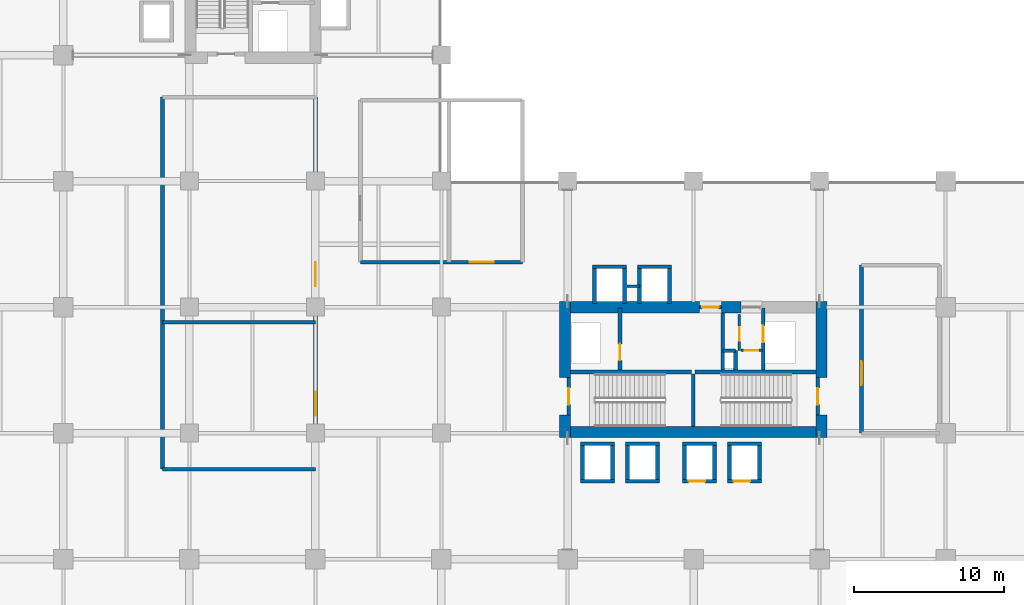
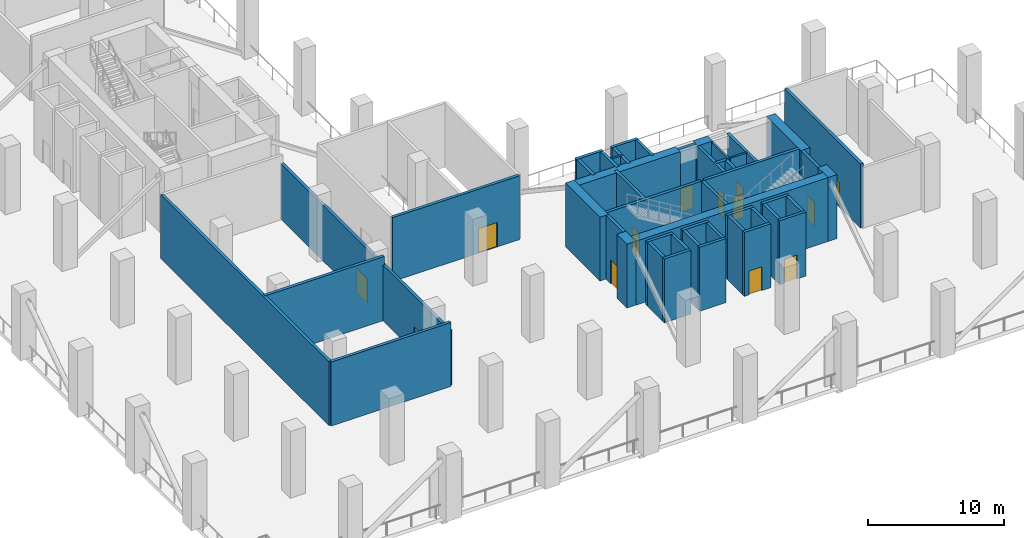
# One storey, part 12 of 19: 49 walls, 13 doors, 13 openings.
"""IFC4 building model written with IfcOpenShell, lengths in metres."""

from ifc_helpers import new_model, si_unit, direction, frame, frame_2d, origin, place, context, subcontext, project, spatial, rectangle, extrude, material, layer, layer_set, type_object, element, fill, save


model = new_model("IFC4")

# Units and contexts
model_context = context("Model", 3, precision=1e-05, world=origin(), true_north=direction((0.0, 1.0)))
body_context = subcontext(model_context, "Body", "Model", "MODEL_VIEW")
ifc_project = project(units=[si_unit("LENGTHUNIT", "METRE"), si_unit("AREAUNIT", "SQUARE_METRE"), si_unit("VOLUMEUNIT", "CUBIC_METRE"), si_unit("PLANEANGLEUNIT", "RADIAN"), si_unit("MASSUNIT", "GRAM", prefix="KILO")], contexts=[model_context])

# Site, building, storey
site_placement = place(None, origin())
site = spatial("IfcSite", under=ifc_project, at=site_placement, CompositionType="ELEMENT")
building_placement = place(site_placement, origin())
building = spatial("IfcBuilding", under=site, at=building_placement, Name="Koriwani Terraces Tower", CompositionType="ELEMENT")
storey_placement = place(building_placement, frame((0.0, 0.0, 94.0)))
storey = spatial("IfcBuildingStorey", under=building, at=storey_placement, Name="L22", CompositionType="ELEMENT", Elevation=94.0)

# Walls
ifc_material_1 = material(Name="Concrete C60/75", Category="concrete")
ifc_layer_1 = layer(ifc_material_1, 0.75, Name="Concrete C60/75")
ifc_layer_set_1 = layer_set([ifc_layer_1], Name="Concrete C60/75")
wall_type_1 = type_object("IfcWallType", Name="WALL_CORE_RC_750", PredefinedType="SHEAR", material=ifc_layer_set_1)
wall_1_placement = place(storey_placement, frame((41.824951171875, 16.5, 0.0), z_axis=(0.0, 0.0, 1.0), x_axis=(0.0, 1.0, 0.0)))
element("IfcWall", 1, at=wall_1_placement, inside=storey, type_object=wall_type_1, Name="L22 East Split Core Shear Wall W1", PredefinedType="SHEAR", context=body_context, shape_type="SweptSolid", body=[
    extrude(rectangle(XDim=1.5, YDim=0.75, at=frame_2d((0.75, 0.0))), origin(), (0.0, 0.0, 1.0), 5.75),
])
wall_2_placement = place(storey_placement, frame((41.824951171875, 20.5, 0.0), z_axis=(0.0, 0.0, 1.0), x_axis=(0.0, 1.0, 0.0)))
element("IfcWall", 2, at=wall_2_placement, inside=storey, type_object=wall_type_1, Name="L22 East Split Core Shear Wall W2", PredefinedType="SHEAR", context=body_context, shape_type="SweptSolid", body=[
    extrude(rectangle(XDim=5.074951171875, YDim=0.75, at=frame_2d((2.53759765625, 0.0))), origin(), (0.0, 0.0, 1.0), 5.75),
])
wall_3_placement = place(storey_placement, frame((58.925048828125, 16.5, 0.0), z_axis=(0.0, 0.0, 1.0), x_axis=(0.0, 1.0, 0.0)))
element("IfcWall", 3, at=wall_3_placement, inside=storey, type_object=wall_type_1, Name="L22 East Split Core Shear Wall E1", PredefinedType="SHEAR", context=body_context, shape_type="SweptSolid", body=[
    extrude(rectangle(XDim=1.5, YDim=0.75, at=frame_2d((0.75, 0.0))), origin(), (0.0, 0.0, 1.0), 5.75),
])
wall_4_placement = place(storey_placement, frame((58.925048828125, 20.5, 0.0), z_axis=(0.0, 0.0, 1.0), x_axis=(0.0, 1.0, 0.0)))
element("IfcWall", 4, at=wall_4_placement, inside=storey, type_object=wall_type_1, Name="L22 East Split Core Shear Wall E2", PredefinedType="SHEAR", context=body_context, shape_type="SweptSolid", body=[
    extrude(rectangle(XDim=5.074951171875, YDim=0.75, at=frame_2d((2.53759765625, 0.0))), origin(), (0.0, 0.0, 1.0), 5.75),
])
wall_5_placement = place(storey_placement, frame((42.199951171875, 16.875, 0.0), z_axis=(0.0, 0.0, 1.0), x_axis=(1.0, 0.0, 0.0)))
element("IfcWall", 5, at=wall_5_placement, inside=storey, type_object=wall_type_1, Name="L22 East Split Core Shear Wall S1", PredefinedType="SHEAR", context=body_context, shape_type="SweptSolid", body=[
    extrude(rectangle(XDim=16.35009765625, YDim=0.75, at=frame_2d((8.175048828125, 0.0))), origin(), (0.0, 0.0, 1.0), 5.75),
])
wall_6_placement = place(storey_placement, frame((42.199951171875, 25.199951171875, 0.0), z_axis=(0.0, 0.0, 1.0), x_axis=(1.0, 0.0, 0.0)))
element("IfcWall", 6, at=wall_6_placement, inside=storey, type_object=wall_type_1, Name="L22 East Split Core Shear Wall N1", PredefinedType="SHEAR", context=body_context, shape_type="SweptSolid", body=[
    extrude(rectangle(XDim=8.60009765625, YDim=0.75, at=frame_2d((4.300048828125, 0.0))), origin(), (0.0, 0.0, 1.0), 5.75),
])
wall_7_placement = place(storey_placement, frame((52.280029296875, 25.199951171875, 0.0), z_axis=(0.0, 0.0, 1.0), x_axis=(1.0, 0.0, 0.0)))
element("IfcWall", 7, at=wall_7_placement, inside=storey, type_object=wall_type_1, Name="L22 East Split Core Shear Wall N2", PredefinedType="SHEAR", context=body_context, shape_type="SweptSolid", body=[
    extrude(rectangle(XDim=1.27001953125, YDim=0.75, at=frame_2d((0.635009765625, 0.0))), origin(), (0.0, 0.0, 1.0), 5.75),
])
ifc_material_2 = material(Name="Concrete C40/50", Category="concrete")
ifc_layer_2 = layer(ifc_material_2, 0.25, Name="Concrete C40/50")
ifc_layer_set_2 = layer_set([ifc_layer_2], Name="Concrete C40/50")
wall_type_2 = type_object("IfcWallType", Name="WALL_SHAFT_RATED_250", PredefinedType="SOLIDWALL", material=ifc_layer_set_2)
for number, where, z_axis, x_axis, name in (
    (8, (42.199951171875, 20.875, 0.0), (0.0, 0.0, 1.0), (1.0, 0.0, 0.0), "L22 East Split Core Web Wall MID1"),
    (9, (50.5, 20.875, 0.0), (0.0, 0.0, 1.0), (1.0, 0.0, 0.0), "L22 East Split Core Web Wall MID2"),
):
    element("IfcWall", number, at=place(storey_placement, frame(where, z_axis=z_axis, x_axis=x_axis)), inside=storey, type_object=wall_type_2, Name=name, PredefinedType="SOLIDWALL", context=body_context, shape_type="SweptSolid", body=[
        extrude(rectangle(XDim=8.050048828125, YDim=0.25, at=frame_2d((4.02490234375, 0.0))), origin(), (0.0, 0.0, 1.0), 5.75),
    ])
wall_8_placement = place(storey_placement, frame((50.375, 17.25, 0.0), z_axis=(0.0, 0.0, 1.0), x_axis=(0.0, 1.0, 0.0)))
element("IfcWall", 10, at=wall_8_placement, inside=storey, type_object=wall_type_2, Name="L22 East Split Core Stair Dividing Wall", PredefinedType="SOLIDWALL", context=body_context, shape_type="SweptSolid", body=[
    extrude(rectangle(XDim=3.5, YDim=0.25, at=frame_2d((1.75, 0.0))), origin(), (0.0, 0.0, 1.0), 5.75),
])

# Wall, opening, door
wall_9_placement = place(storey_placement, frame((42.074951171875, 18.0, 0.0), z_axis=(0.0, 0.0, 1.0), x_axis=(0.0, 1.0, 0.0)))
wall_9 = element("IfcWall", 11, at=wall_9_placement, inside=storey, type_object=wall_type_2, Name="L22 Interior Wall WIN-CE-L22-STW", PredefinedType="SOLIDWALL", context=body_context, shape_type="SweptSolid", body=[
    extrude(rectangle(XDim=2.5, YDim=0.25, at=frame_2d((1.25, 0.0))), origin(), (0.0, 0.0, 1.0), 5.75),
])
opening_1_placement = place(wall_9_placement, frame((0.699951171875, 0.0, 0.0)))
opening_1 = element("IfcOpeningElement", 12, at=opening_1_placement, cuts=wall_9, Name="Opening D-03", PredefinedType="OPENING", context=body_context, shape_type="SweptSolid", body=[
    extrude(rectangle(XDim=1.10009765625, YDim=2.14990234375, at=frame_2d((0.550048828125, 1.074951171875))), frame((0.0, 0.135009765625, 0.0), z_axis=(0.0, -1.0, 0.0), x_axis=(1.0, 0.0, 0.0)), (0.0, 0.0, 1.0), 0.27001953125),
])
ifc_material_3 = material(Name="Steel ASTM A572 Grade 50", Category="steel")
door_type_1 = type_object("IfcDoorType", Name="DOOR_STAIR_FIRE_1100X2150", OperationType="NOTDEFINED", PredefinedType="DOOR", material=ifc_material_3)
door_1_placement = place(opening_1_placement, origin())
door_1 = element("IfcDoor", 13, at=door_1_placement, inside=storey, type_object=door_type_1, Name="L22 Exit Stair ST-E1 Door", OperationType="SINGLE_SWING_RIGHT", OverallHeight=2.14990234375, OverallWidth=1.10009765625, PredefinedType="DOOR", context=body_context, shape_type="SweptSolid", body=[
    extrude(rectangle(XDim=1.10009765625, YDim=2.14990234375, at=frame_2d((0.550048828125, 1.074951171875))), frame((0.0, 0.02490234375, 0.0), z_axis=(0.0, -1.0, 0.0), x_axis=(1.0, 0.0, 0.0)), (0.0, 0.0, 1.0), 0.050048828125),
])
fill(opening_1, door_1)

wall_10_placement = place(storey_placement, frame((58.675048828125, 18.0, 0.0), z_axis=(0.0, 0.0, 1.0), x_axis=(0.0, 1.0, 0.0)))
wall_10 = element("IfcWall", 14, at=wall_10_placement, inside=storey, type_object=wall_type_2, Name="L22 Interior Wall WIN-CE-L22-STE", PredefinedType="SOLIDWALL", context=body_context, shape_type="SweptSolid", body=[
    extrude(rectangle(XDim=2.5, YDim=0.25, at=frame_2d((1.25, 0.0))), origin(), (0.0, 0.0, 1.0), 5.75),
])
opening_2_placement = place(wall_10_placement, frame((0.699951171875, 0.0, 0.0)))
opening_2 = element("IfcOpeningElement", 15, at=opening_2_placement, cuts=wall_10, Name="Opening D-03", PredefinedType="OPENING", context=body_context, shape_type="SweptSolid", body=[
    extrude(rectangle(XDim=1.10009765625, YDim=2.14990234375, at=frame_2d((0.550048828125, 1.074951171875))), frame((0.0, 0.135009765625, 0.0), z_axis=(0.0, -1.0, 0.0), x_axis=(1.0, 0.0, 0.0)), (0.0, 0.0, 1.0), 0.27001953125),
])
door_2_placement = place(opening_2_placement, origin())
door_2 = element("IfcDoor", 16, at=door_2_placement, inside=storey, type_object=door_type_1, Name="L22 Exit Stair ST-E2 Door", OperationType="SINGLE_SWING_LEFT", OverallHeight=2.14990234375, OverallWidth=1.10009765625, PredefinedType="DOOR", context=body_context, shape_type="SweptSolid", body=[
    extrude(rectangle(XDim=1.10009765625, YDim=2.14990234375, at=frame_2d((0.550048828125, 1.074951171875))), frame((0.0, 0.02490234375, 0.0), z_axis=(0.0, -1.0, 0.0), x_axis=(1.0, 0.0, 0.0)), (0.0, 0.0, 1.0), 0.050048828125),
])
fill(opening_2, door_2)

wall_11_placement = place(storey_placement, frame((45.5, 21.0, 0.0), z_axis=(0.0, 0.0, 1.0), x_axis=(0.0, 1.0, 0.0)))
wall_11 = element("IfcWall", 17, at=wall_11_placement, inside=storey, type_object=wall_type_2, Name="L22 Interior Wall WIN-CE-L22-FE", PredefinedType="SOLIDWALL", context=body_context, shape_type="SweptSolid", body=[
    extrude(rectangle(XDim=4.14990234375, YDim=0.25, at=frame_2d((2.074951171875, 0.0))), origin(), (0.0, 0.0, 1.0), 5.75),
])
opening_3_placement = place(wall_11_placement, frame((0.64990234375, 0.0, 0.0)))
opening_3 = element("IfcOpeningElement", 18, at=opening_3_placement, cuts=wall_11, Name="Opening LD-01", PredefinedType="OPENING", context=body_context, shape_type="SweptSolid", body=[
    extrude(rectangle(XDim=1.10009765625, YDim=2.14990234375, at=frame_2d((0.550048828125, 1.074951171875))), frame((0.0, 0.135009765625, 0.0), z_axis=(0.0, -1.0, 0.0), x_axis=(1.0, 0.0, 0.0)), (0.0, 0.0, 1.0), 0.27001953125),
])
door_type_2 = type_object("IfcDoorType", Name="DOOR_LIFT_LANDING_1100X2200", OperationType="NOTDEFINED", PredefinedType="DOOR", material=ifc_material_3)
door_3_placement = place(opening_3_placement, origin())
door_3 = element("IfcDoor", 19, at=door_3_placement, inside=storey, type_object=door_type_2, Name="L22 Firefighting Lift FE-02 Landing Door", OperationType="SLIDING_TO_LEFT", OverallHeight=2.14990234375, OverallWidth=1.10009765625, PredefinedType="DOOR", context=body_context, shape_type="SweptSolid", body=[
    extrude(rectangle(XDim=1.10009765625, YDim=2.14990234375, at=frame_2d((0.550048828125, 1.074951171875))), frame((0.0, 0.02490234375, 0.0), z_axis=(0.0, -1.0, 0.0), x_axis=(1.0, 0.0, 0.0)), (0.0, 0.0, 1.0), 0.050048828125),
])
fill(opening_3, door_3)

wall_12_placement = place(storey_placement, frame((50.800048828125, 25.199951171875, 0.0), z_axis=(0.0, 0.0, 1.0), x_axis=(1.0, 0.0, 0.0)))
wall_12 = element("IfcWall", 20, at=wall_12_placement, inside=storey, type_object=wall_type_2, Name="L22 Interior Wall WIN-CE-L22-NP", PredefinedType="SOLIDWALL", context=body_context, shape_type="SweptSolid", body=[
    extrude(rectangle(XDim=1.47998046875, YDim=0.25, at=frame_2d((0.739990234375, 0.0))), origin(), (0.0, 0.0, 1.0), 5.75),
])
opening_4_placement = place(wall_12_placement, frame((0.179931640625, 0.0, 0.0)))
opening_4 = element("IfcOpeningElement", 21, at=opening_4_placement, cuts=wall_12, Name="Opening D-03", PredefinedType="OPENING", context=body_context, shape_type="SweptSolid", body=[
    extrude(rectangle(XDim=1.10009765625, YDim=2.14990234375, at=frame_2d((0.550048828125, 1.074951171875))), frame((0.0, 0.135009765625, 0.0), z_axis=(0.0, -1.0, 0.0), x_axis=(1.0, 0.0, 0.0)), (0.0, 0.0, 1.0), 0.27001953125),
])
door_4_placement = place(opening_4_placement, origin())
door_4 = element("IfcDoor", 22, at=door_4_placement, inside=storey, type_object=door_type_1, Name="L22 East Firefighting Lobby Door", OperationType="SINGLE_SWING_RIGHT", OverallHeight=2.14990234375, OverallWidth=1.10009765625, PredefinedType="DOOR", context=body_context, shape_type="SweptSolid", body=[
    extrude(rectangle(XDim=1.10009765625, YDim=2.14990234375, at=frame_2d((0.550048828125, 1.074951171875))), frame((0.0, 0.02490234375, 0.0), z_axis=(0.0, -1.0, 0.0), x_axis=(1.0, 0.0, 0.0)), (0.0, 0.0, 1.0), 0.050048828125),
])
fill(opening_4, door_4)

# Wall
wall_13_placement = place(storey_placement, frame((52.340087890625, 21.0, 0.0), z_axis=(0.0, 0.0, 1.0), x_axis=(0.0, 1.0, 0.0)))
element("IfcWall", 23, at=wall_13_placement, inside=storey, type_object=wall_type_2, Name="L22 Interior Wall WIN-CE-L22-FFE", PredefinedType="SOLIDWALL", context=body_context, shape_type="SweptSolid", body=[
    extrude(rectangle(XDim=3.824951171875, YDim=0.25, at=frame_2d((1.91259765625, 0.0))), origin(), (0.0, 0.0, 1.0), 5.75),
])

# Wall, opening, door
wall_14_placement = place(storey_placement, frame((55.050048828125, 21.0, 0.0), z_axis=(0.0, 0.0, 1.0), x_axis=(0.0, 1.0, 0.0)))
wall_14 = element("IfcWall", 24, at=wall_14_placement, inside=storey, type_object=wall_type_2, Name="L22 Interior Wall WIN-CE-L22-SE", PredefinedType="SOLIDWALL", context=body_context, shape_type="SweptSolid", body=[
    extrude(rectangle(XDim=4.14990234375, YDim=0.25, at=frame_2d((2.074951171875, 0.0))), origin(), (0.0, 0.0, 1.0), 5.75),
])
opening_5_placement = place(wall_14_placement, frame((1.85009765625, 0.0, 0.0)))
opening_5 = element("IfcOpeningElement", 25, at=opening_5_placement, cuts=wall_14, Name="Opening LD-01", PredefinedType="OPENING", context=body_context, shape_type="SweptSolid", body=[
    extrude(rectangle(XDim=1.10009765625, YDim=2.14990234375, at=frame_2d((0.550048828125, 1.074951171875))), frame((0.0, 0.135009765625, 0.0), z_axis=(0.0, -1.0, 0.0), x_axis=(1.0, 0.0, 0.0)), (0.0, 0.0, 1.0), 0.27001953125),
])
door_5_placement = place(opening_5_placement, origin())
door_5 = element("IfcDoor", 26, at=door_5_placement, inside=storey, type_object=door_type_2, Name="L22 Goods Lift SE-02 Landing Door", OperationType="SLIDING_TO_LEFT", OverallHeight=2.14990234375, OverallWidth=1.10009765625, PredefinedType="DOOR", context=body_context, shape_type="SweptSolid", body=[
    extrude(rectangle(XDim=1.10009765625, YDim=2.14990234375, at=frame_2d((0.550048828125, 1.074951171875))), frame((0.0, 0.02490234375, 0.0), z_axis=(0.0, -1.0, 0.0), x_axis=(1.0, 0.0, 0.0)), (0.0, 0.0, 1.0), 0.050048828125),
])
fill(opening_5, door_5)

# Walls
wall_15_placement = place(storey_placement, frame((53.199951171875, 21.0, 0.0), z_axis=(0.0, 0.0, 1.0), x_axis=(0.0, 1.0, 0.0)))
element("IfcWall", 27, at=wall_15_placement, inside=storey, type_object=wall_type_2, Name="L22 Interior Wall WIN-CE-L22-RS1", PredefinedType="SOLIDWALL", context=body_context, shape_type="SweptSolid", body=[
    extrude(rectangle(XDim=1.300048828125, YDim=0.25, at=frame_2d((0.64990234375, 0.0))), origin(), (0.0, 0.0, 1.0), 5.75),
])
wall_16_placement = place(storey_placement, frame((52.360107421875, 22.300048828125, 0.0), z_axis=(0.0, 0.0, 1.0), x_axis=(1.0, 0.0, 0.0)))
element("IfcWall", 28, at=wall_16_placement, inside=storey, type_object=wall_type_2, Name="L22 Interior Wall WIN-CE-L22-RS2", PredefinedType="SOLIDWALL", context=body_context, shape_type="SweptSolid", body=[
    extrude(rectangle(XDim=0.83984375, YDim=0.25, at=frame_2d((0.419921875, 0.0))), origin(), (0.0, 0.0, 1.0), 5.75),
])
for number, where, z_axis, x_axis, name in (
    (29, (42.875, 13.60009765625, 0.0), (0.0, 0.0, 1.0), (1.0, 0.0, 0.0), "L22 Interior Wall WIN-LF-PE-L3-L22-F"),
    (30, (42.875, 16.10009765625, 0.0), (0.0, 0.0, 1.0), (1.0, 0.0, 0.0), "L22 Interior Wall WIN-LF-PE-L3-L22-B"),
    (31, (43.0, 13.72509765625, 0.0), (0.0, 0.0, 1.0), (0.0, 1.0, 0.0), "L22 Interior Wall WIN-LF-PE-L3-L22-W"),
    (32, (45.0, 13.72509765625, 0.0), (0.0, 0.0, 1.0), (0.0, 1.0, 0.0), "L22 Interior Wall WIN-LF-PE-L3-L22-E"),
    (33, (45.875, 13.60009765625, 0.0), (0.0, 0.0, 1.0), (1.0, 0.0, 0.0), "L22 Interior Wall WIN-LF-PE-L4-L22-F"),
    (34, (45.875, 16.10009765625, 0.0), (0.0, 0.0, 1.0), (1.0, 0.0, 0.0), "L22 Interior Wall WIN-LF-PE-L4-L22-B"),
    (35, (46.0, 13.72509765625, 0.0), (0.0, 0.0, 1.0), (0.0, 1.0, 0.0), "L22 Interior Wall WIN-LF-PE-L4-L22-W"),
    (36, (48.0, 13.72509765625, 0.0), (0.0, 0.0, 1.0), (0.0, 1.0, 0.0), "L22 Interior Wall WIN-LF-PE-L4-L22-E"),
):
    element("IfcWall", number, at=place(storey_placement, frame(where, z_axis=z_axis, x_axis=x_axis)), inside=storey, type_object=wall_type_2, Name=name, PredefinedType="SOLIDWALL", context=body_context, shape_type="SweptSolid", body=[
        extrude(rectangle(XDim=2.25, YDim=0.25, at=frame_2d((1.125, 0.0))), origin(), (0.0, 0.0, 1.0), 5.75),
    ])

# Wall, opening, door
wall_17_placement = place(storey_placement, frame((49.675048828125, 13.60009765625, 0.0), z_axis=(0.0, 0.0, 1.0), x_axis=(1.0, 0.0, 0.0)))
wall_17 = element("IfcWall", 37, at=wall_17_placement, inside=storey, type_object=wall_type_2, Name="L22 Interior Wall WIN-LF-PE-M3-L22-F", PredefinedType="SOLIDWALL", context=body_context, shape_type="SweptSolid", body=[
    extrude(rectangle(XDim=2.25, YDim=0.25, at=frame_2d((1.125, 0.0))), origin(), (0.0, 0.0, 1.0), 5.75),
])
opening_6_placement = place(wall_17_placement, frame((0.39990234375, 0.0, 0.0)))
opening_6 = element("IfcOpeningElement", 38, at=opening_6_placement, cuts=wall_17, Name="Opening LD-01", PredefinedType="OPENING", context=body_context, shape_type="SweptSolid", body=[
    extrude(rectangle(XDim=1.10009765625, YDim=2.14990234375, at=frame_2d((0.550048828125, 1.074951171875))), frame((0.0, 0.135009765625, 0.0), z_axis=(0.0, -1.0, 0.0), x_axis=(1.0, 0.0, 0.0)), (0.0, 0.0, 1.0), 0.27001953125),
])
door_6_placement = place(opening_6_placement, origin())
door_6 = element("IfcDoor", 39, at=door_6_placement, inside=storey, type_object=door_type_2, Name="L22 Passenger Lift PE-M3 Landing Door", OperationType="SLIDING_TO_LEFT", OverallHeight=2.14990234375, OverallWidth=1.10009765625, PredefinedType="DOOR", context=body_context, shape_type="SweptSolid", body=[
    extrude(rectangle(XDim=1.10009765625, YDim=2.14990234375, at=frame_2d((0.550048828125, 1.074951171875))), frame((0.0, 0.02490234375, 0.0), z_axis=(0.0, -1.0, 0.0), x_axis=(1.0, 0.0, 0.0)), (0.0, 0.0, 1.0), 0.050048828125),
])
fill(opening_6, door_6)

# Walls
for number, where, z_axis, x_axis, name in (
    (40, (49.675048828125, 16.10009765625, 0.0), (0.0, 0.0, 1.0), (1.0, 0.0, 0.0), "L22 Interior Wall WIN-LF-PE-M3-L22-B"),
    (41, (49.800048828125, 13.72509765625, 0.0), (0.0, 0.0, 1.0), (0.0, 1.0, 0.0), "L22 Interior Wall WIN-LF-PE-M3-L22-W"),
    (42, (51.800048828125, 13.72509765625, 0.0), (0.0, 0.0, 1.0), (0.0, 1.0, 0.0), "L22 Interior Wall WIN-LF-PE-M3-L22-E"),
):
    element("IfcWall", number, at=place(storey_placement, frame(where, z_axis=z_axis, x_axis=x_axis)), inside=storey, type_object=wall_type_2, Name=name, PredefinedType="SOLIDWALL", context=body_context, shape_type="SweptSolid", body=[
        extrude(rectangle(XDim=2.25, YDim=0.25, at=frame_2d((1.125, 0.0))), origin(), (0.0, 0.0, 1.0), 5.75),
    ])

# Wall, opening, door
wall_18_placement = place(storey_placement, frame((52.675048828125, 13.60009765625, 0.0), z_axis=(0.0, 0.0, 1.0), x_axis=(1.0, 0.0, 0.0)))
wall_18 = element("IfcWall", 43, at=wall_18_placement, inside=storey, type_object=wall_type_2, Name="L22 Interior Wall WIN-LF-PE-M4-L22-F", PredefinedType="SOLIDWALL", context=body_context, shape_type="SweptSolid", body=[
    extrude(rectangle(XDim=2.25, YDim=0.25, at=frame_2d((1.125, 0.0))), origin(), (0.0, 0.0, 1.0), 5.75),
])
opening_7_placement = place(wall_18_placement, frame((0.39990234375, 0.0, 0.0)))
opening_7 = element("IfcOpeningElement", 44, at=opening_7_placement, cuts=wall_18, Name="Opening LD-01", PredefinedType="OPENING", context=body_context, shape_type="SweptSolid", body=[
    extrude(rectangle(XDim=1.10009765625, YDim=2.14990234375, at=frame_2d((0.550048828125, 1.074951171875))), frame((0.0, 0.135009765625, 0.0), z_axis=(0.0, -1.0, 0.0), x_axis=(1.0, 0.0, 0.0)), (0.0, 0.0, 1.0), 0.27001953125),
])
door_7_placement = place(opening_7_placement, origin())
door_7 = element("IfcDoor", 45, at=door_7_placement, inside=storey, type_object=door_type_2, Name="L22 Passenger Lift PE-M4 Landing Door", OperationType="SLIDING_TO_LEFT", OverallHeight=2.14990234375, OverallWidth=1.10009765625, PredefinedType="DOOR", context=body_context, shape_type="SweptSolid", body=[
    extrude(rectangle(XDim=1.10009765625, YDim=2.14990234375, at=frame_2d((0.550048828125, 1.074951171875))), frame((0.0, 0.02490234375, 0.0), z_axis=(0.0, -1.0, 0.0), x_axis=(1.0, 0.0, 0.0)), (0.0, 0.0, 1.0), 0.050048828125),
])
fill(opening_7, door_7)

# Walls
for number, where, z_axis, x_axis, name in (
    (46, (52.675048828125, 16.10009765625, 0.0), (0.0, 0.0, 1.0), (1.0, 0.0, 0.0), "L22 Interior Wall WIN-LF-PE-M4-L22-B"),
    (47, (52.800048828125, 13.72509765625, 0.0), (0.0, 0.0, 1.0), (0.0, 1.0, 0.0), "L22 Interior Wall WIN-LF-PE-M4-L22-W"),
    (48, (54.800048828125, 13.72509765625, 0.0), (0.0, 0.0, 1.0), (0.0, 1.0, 0.0), "L22 Interior Wall WIN-LF-PE-M4-L22-E"),
    (49, (43.675048828125, 27.89990234375, 0.0), (0.0, 0.0, 1.0), (1.0, 0.0, 0.0), "L22 Interior Wall WIN-LF-PE-H3-L22-F"),
):
    element("IfcWall", number, at=place(storey_placement, frame(where, z_axis=z_axis, x_axis=x_axis)), inside=storey, type_object=wall_type_2, Name=name, PredefinedType="SOLIDWALL", context=body_context, shape_type="SweptSolid", body=[
        extrude(rectangle(XDim=2.25, YDim=0.25, at=frame_2d((1.125, 0.0))), origin(), (0.0, 0.0, 1.0), 5.75),
    ])
for number, where, z_axis, x_axis, name in (
    (50, (43.800048828125, 25.449951171875, 0.0), (0.0, 0.0, 1.0), (0.0, 1.0, 0.0), "L22 Interior Wall WIN-LF-PE-H3-L22-W"),
    (51, (45.800048828125, 25.449951171875, 0.0), (0.0, 0.0, 1.0), (0.0, 1.0, 0.0), "L22 Interior Wall WIN-LF-PE-H3-L22-E"),
):
    element("IfcWall", number, at=place(storey_placement, frame(where, z_axis=z_axis, x_axis=x_axis)), inside=storey, type_object=wall_type_2, Name=name, PredefinedType="SOLIDWALL", context=body_context, shape_type="SweptSolid", body=[
        extrude(rectangle(XDim=2.324951171875, YDim=0.25, at=frame_2d((1.16259765625, 0.0))), origin(), (0.0, 0.0, 1.0), 5.75),
    ])
wall_19_placement = place(storey_placement, frame((46.675048828125, 27.89990234375, 0.0), z_axis=(0.0, 0.0, 1.0), x_axis=(1.0, 0.0, 0.0)))
element("IfcWall", 52, at=wall_19_placement, inside=storey, type_object=wall_type_2, Name="L22 Interior Wall WIN-LF-PE-H4-L22-F", PredefinedType="SOLIDWALL", context=body_context, shape_type="SweptSolid", body=[
    extrude(rectangle(XDim=2.25, YDim=0.25, at=frame_2d((1.125, 0.0))), origin(), (0.0, 0.0, 1.0), 5.75),
])
for number, where, z_axis, x_axis, name in (
    (53, (46.800048828125, 25.449951171875, 0.0), (0.0, 0.0, 1.0), (0.0, 1.0, 0.0), "L22 Interior Wall WIN-LF-PE-H4-L22-W"),
    (54, (48.800048828125, 25.449951171875, 0.0), (0.0, 0.0, 1.0), (0.0, 1.0, 0.0), "L22 Interior Wall WIN-LF-PE-H4-L22-E"),
):
    element("IfcWall", number, at=place(storey_placement, frame(where, z_axis=z_axis, x_axis=x_axis)), inside=storey, type_object=wall_type_2, Name=name, PredefinedType="SOLIDWALL", context=body_context, shape_type="SweptSolid", body=[
        extrude(rectangle(XDim=2.324951171875, YDim=0.25, at=frame_2d((1.16259765625, 0.0))), origin(), (0.0, 0.0, 1.0), 5.75),
    ])

# Wall, opening, door
wall_20_placement = place(storey_placement, frame((61.60009765625, 16.800048828125, 0.0), z_axis=(0.0, 0.0, 1.0), x_axis=(0.0, 1.0, 0.0)))
wall_20 = element("IfcWall", 55, at=wall_20_placement, inside=storey, type_object=wall_type_2, Name="L22 Interior Wall WREF-E1-L22", PredefinedType="SOLIDWALL", context=body_context, shape_type="SweptSolid", body=[
    extrude(rectangle(XDim=11.199951171875, YDim=0.25, at=frame_2d((5.60009765625, 0.0))), origin(), (0.0, 0.0, 1.0), 5.75),
])
opening_8_placement = place(wall_20_placement, frame((3.199951171875, 0.0, 0.0)))
opening_8 = element("IfcOpeningElement", 56, at=opening_8_placement, cuts=wall_20, Name="Opening D-08", PredefinedType="OPENING", context=body_context, shape_type="SweptSolid", body=[
    extrude(rectangle(XDim=1.60009765625, YDim=2.199951171875, at=frame_2d((0.800048828125, 1.10009765625))), frame((0.0, 0.135009765625, 0.0), z_axis=(0.0, -1.0, 0.0), x_axis=(1.0, 0.0, 0.0)), (0.0, 0.0, 1.0), 0.27001953125),
])
door_type_3 = type_object("IfcDoorType", Name="DOOR_PLANT_DOUBLE_1600X2200", OperationType="NOTDEFINED", PredefinedType="DOOR", material=ifc_material_3)
door_8_placement = place(opening_8_placement, origin())
door_8 = element("IfcDoor", 57, at=door_8_placement, inside=storey, type_object=door_type_3, Name="L22 East Fire Refuge Area Door", OperationType="SINGLE_SWING_LEFT", OverallHeight=2.199951171875, OverallWidth=1.60009765625, PredefinedType="DOOR", context=body_context, shape_type="SweptSolid", body=[
    extrude(rectangle(XDim=1.60009765625, YDim=2.199951171875, at=frame_2d((0.800048828125, 1.10009765625))), frame((0.0, 0.02490234375, 0.0), z_axis=(0.0, -1.0, 0.0), x_axis=(1.0, 0.0, 0.0)), (0.0, 0.0, 1.0), 0.050048828125),
])
fill(opening_8, door_8)

# Wall, openings, doors
wall_21_placement = place(storey_placement, frame((25.199951171875, 14.39990234375, 0.0), z_axis=(0.0, 0.0, 1.0), x_axis=(0.0, 1.0, 0.0)))
wall_21 = element("IfcWall", 58, at=wall_21_placement, inside=storey, type_object=wall_type_2, Name="L22 Interior Wall WPL-L22-E", PredefinedType="SOLIDWALL", context=body_context, shape_type="SweptSolid", body=[
    extrude(rectangle(XDim=24.800048828125, YDim=0.25, at=frame_2d((12.39990234375, 0.0))), origin(), (0.0, 0.0, 1.0), 5.0),
])
opening_9_placement = place(wall_21_placement, frame((3.550048828125, 0.0, 0.0)))
opening_9 = element("IfcOpeningElement", 59, at=opening_9_placement, cuts=wall_21, Name="Opening D-08", PredefinedType="OPENING", context=body_context, shape_type="SweptSolid", body=[
    extrude(rectangle(XDim=1.60009765625, YDim=2.199951171875, at=frame_2d((0.800048828125, 1.10009765625))), frame((0.0, 0.135009765625, 0.0), z_axis=(0.0, -1.0, 0.0), x_axis=(1.0, 0.0, 0.0)), (0.0, 0.0, 1.0), 0.27001953125),
])
opening_10_placement = place(wall_21_placement, frame((12.199951171875, 0.0, 0.0)))
opening_10 = element("IfcOpeningElement", 60, at=opening_10_placement, cuts=wall_21, Name="Opening D-08", PredefinedType="OPENING", context=body_context, shape_type="SweptSolid", body=[
    extrude(rectangle(XDim=1.60009765625, YDim=2.199951171875, at=frame_2d((0.800048828125, 1.10009765625))), frame((0.0, 0.135009765625, 0.0), z_axis=(0.0, -1.0, 0.0), x_axis=(1.0, 0.0, 0.0)), (0.0, 0.0, 1.0), 0.27001953125),
])
door_9_placement = place(opening_9_placement, origin())
door_9 = element("IfcDoor", 61, at=door_9_placement, inside=storey, type_object=door_type_3, Name="L22 Chiller Plant Room Door", OperationType="SINGLE_SWING_RIGHT", OverallHeight=2.199951171875, OverallWidth=1.60009765625, PredefinedType="DOOR", context=body_context, shape_type="SweptSolid", body=[
    extrude(rectangle(XDim=1.60009765625, YDim=2.199951171875, at=frame_2d((0.800048828125, 1.10009765625))), frame((0.0, 0.02490234375, 0.0), z_axis=(0.0, -1.0, 0.0), x_axis=(1.0, 0.0, 0.0)), (0.0, 0.0, 1.0), 0.050048828125),
])
fill(opening_9, door_9)
door_10_placement = place(opening_10_placement, origin())
door_10 = element("IfcDoor", 62, at=door_10_placement, inside=storey, type_object=door_type_3, Name="L22 AHU Fan Room Door", OperationType="SINGLE_SWING_LEFT", OverallHeight=2.199951171875, OverallWidth=1.60009765625, PredefinedType="DOOR", context=body_context, shape_type="SweptSolid", body=[
    extrude(rectangle(XDim=1.60009765625, YDim=2.199951171875, at=frame_2d((0.800048828125, 1.10009765625))), frame((0.0, 0.02490234375, 0.0), z_axis=(0.0, -1.0, 0.0), x_axis=(1.0, 0.0, 0.0)), (0.0, 0.0, 1.0), 0.050048828125),
])
fill(opening_10, door_10)

# Walls
wall_22_placement = place(storey_placement, frame((15.0, 14.39990234375, 0.0), z_axis=(0.0, 0.0, 1.0), x_axis=(0.0, 1.0, 0.0)))
element("IfcWall", 63, at=wall_22_placement, inside=storey, type_object=wall_type_2, Name="L22 Interior Wall WPL-L22-W", PredefinedType="SOLIDWALL", context=body_context, shape_type="SweptSolid", body=[
    extrude(rectangle(XDim=24.800048828125, YDim=0.25, at=frame_2d((12.39990234375, 0.0))), origin(), (0.0, 0.0, 1.0), 5.75),
])
for number, where, z_axis, x_axis, name in (
    (64, (15.0, 14.39990234375, 0.0), (0.0, 0.0, 1.0), (1.0, 0.0, 0.0), "L22 Interior Wall WPL-L22-S"),
    (65, (15.0, 24.199951171875, 0.0), (0.0, 0.0, 1.0), (1.0, 0.0, 0.0), "L22 Interior Wall WPL-L22-M"),
):
    element("IfcWall", number, at=place(storey_placement, frame(where, z_axis=z_axis, x_axis=x_axis)), inside=storey, type_object=wall_type_2, Name=name, PredefinedType="SOLIDWALL", context=body_context, shape_type="SweptSolid", body=[
        extrude(rectangle(XDim=10.199951171875, YDim=0.25, at=frame_2d((5.10009765625, 0.0))), origin(), (0.0, 0.0, 1.0), 5.75),
    ])

# Wall, opening, door
wall_23_placement = place(storey_placement, frame((28.199951171875, 28.199951171875, 0.0), z_axis=(0.0, 0.0, 1.0), x_axis=(1.0, 0.0, 0.0)))
wall_23 = element("IfcWall", 66, at=wall_23_placement, inside=storey, type_object=wall_type_2, Name="L22 Interior Wall WPL2-L22-S", PredefinedType="SOLIDWALL", context=body_context, shape_type="SweptSolid", body=[
    extrude(rectangle(XDim=10.800048828125, YDim=0.25, at=frame_2d((5.39990234375, 0.0))), origin(), (0.0, 0.0, 1.0), 5.75),
])
opening_11_placement = place(wall_23_placement, frame((7.300048828125, 0.0, 0.0)))
opening_11 = element("IfcOpeningElement", 67, at=opening_11_placement, cuts=wall_23, Name="Opening D-08", PredefinedType="OPENING", context=body_context, shape_type="SweptSolid", body=[
    extrude(rectangle(XDim=1.60009765625, YDim=2.199951171875, at=frame_2d((0.800048828125, 1.10009765625))), frame((0.0, 0.135009765625, 0.0), z_axis=(0.0, -1.0, 0.0), x_axis=(1.0, 0.0, 0.0)), (0.0, 0.0, 1.0), 0.27001953125),
])
door_11_placement = place(opening_11_placement, origin())
door_11 = element("IfcDoor", 68, at=door_11_placement, inside=storey, type_object=door_type_3, Name="L22 Electrical Transformer Room Door", OperationType="SINGLE_SWING_LEFT", OverallHeight=2.199951171875, OverallWidth=1.60009765625, PredefinedType="DOOR", context=body_context, shape_type="SweptSolid", body=[
    extrude(rectangle(XDim=1.60009765625, YDim=2.199951171875, at=frame_2d((0.800048828125, 1.10009765625))), frame((0.0, 0.02490234375, 0.0), z_axis=(0.0, -1.0, 0.0), x_axis=(1.0, 0.0, 0.0)), (0.0, 0.0, 1.0), 0.050048828125),
])
fill(opening_11, door_11)

ifc_material_4 = material(Name="Fire-Rated Acoustic Gypsum Partition", Category="masonry")
ifc_layer_3 = layer(ifc_material_4, 0.159912109375, Name="Fire-Rated Acoustic Gypsum Partition")
ifc_layer_set_3 = layer_set([ifc_layer_3], Name="Fire-Rated Acoustic Gypsum Partition")
wall_type_3 = type_object("IfcWallType", Name="WALL_SUITE_160", PredefinedType="PARTITIONING", material=ifc_layer_set_3)
wall_24_placement = place(storey_placement, frame((53.56005859375, 22.320068359375, 0.0), z_axis=(0.0, 0.0, 1.0), x_axis=(1.0, 0.0, 0.0)))
wall_24 = element("IfcWall", 69, at=wall_24_placement, inside=storey, type_object=wall_type_3, Name="L22 Interior Wall WIN-CE-L22-SV1A", PredefinedType="PARTITIONING", context=body_context, shape_type="SweptSolid", body=[
    extrude(rectangle(XDim=1.43994140625, YDim=0.159912109375, at=frame_2d((0.719970703125, 0.0))), origin(), (0.0, 0.0, 1.0), 5.75),
])
opening_12_placement = place(wall_24_placement, frame((0.260009765625, 0.0, 0.0)))
opening_12 = element("IfcOpeningElement", 70, at=opening_12_placement, cuts=wall_24, Name="Opening D-07", PredefinedType="OPENING", context=body_context, shape_type="SweptSolid", body=[
    extrude(rectangle(XDim=0.89990234375, YDim=2.10009765625, at=frame_2d((0.449951171875, 1.050048828125))), frame((0.0, 0.08984375, 0.0), z_axis=(0.0, -1.0, 0.0), x_axis=(1.0, 0.0, 0.0)), (0.0, 0.0, 1.0), 0.179931640625),
])
ifc_material_5 = material(Name="Architectural Oak Fire Door", Category="wood")
door_type_4 = type_object("IfcDoorType", Name="DOOR_BATH_INT_900X2100", OperationType="NOTDEFINED", PredefinedType="DOOR", material=ifc_material_5)
door_12_placement = place(opening_12_placement, origin())
door_12 = element("IfcDoor", 71, at=door_12_placement, inside=storey, type_object=door_type_4, Name="L22 East Telecom Room Door", OperationType="SINGLE_SWING_RIGHT", OverallHeight=2.10009765625, OverallWidth=0.89990234375, PredefinedType="DOOR", context=body_context, shape_type="SweptSolid", body=[
    extrude(rectangle(XDim=0.89990234375, YDim=2.10009765625, at=frame_2d((0.449951171875, 1.050048828125))), frame((0.0, 0.02490234375, 0.0), z_axis=(0.0, -1.0, 0.0), x_axis=(1.0, 0.0, 0.0)), (0.0, 0.0, 1.0), 0.050048828125),
])
fill(opening_12, door_12)

wall_25_placement = place(storey_placement, frame((53.4599609375, 22.320068359375, 0.0), z_axis=(0.0, 0.0, 1.0), x_axis=(0.0, 1.0, 0.0)))
wall_25 = element("IfcWall", 72, at=wall_25_placement, inside=storey, type_object=wall_type_3, Name="L22 Interior Wall WIN-CE-L22-SV1B", PredefinedType="PARTITIONING", context=body_context, shape_type="SweptSolid", body=[
    extrude(rectangle(XDim=2.39990234375, YDim=0.159912109375, at=frame_2d((1.199951171875, 0.0))), origin(), (0.0, 0.0, 1.0), 5.75),
])
opening_13_placement = place(wall_25_placement, frame((0.64990234375, 0.0, 0.0)))
opening_13 = element("IfcOpeningElement", 73, at=opening_13_placement, cuts=wall_25, Name="Opening D-07", PredefinedType="OPENING", context=body_context, shape_type="SweptSolid", body=[
    extrude(rectangle(XDim=0.89990234375, YDim=2.10009765625, at=frame_2d((0.449951171875, 1.050048828125))), frame((0.0, 0.08984375, 0.0), z_axis=(0.0, -1.0, 0.0), x_axis=(1.0, 0.0, 0.0)), (0.0, 0.0, 1.0), 0.179931640625),
])
door_13_placement = place(opening_13_placement, origin())
door_13 = element("IfcDoor", 74, at=door_13_placement, inside=storey, type_object=door_type_4, Name="L22 East Cleaners Closet Door", OperationType="SINGLE_SWING_LEFT", OverallHeight=2.10009765625, OverallWidth=0.89990234375, PredefinedType="DOOR", context=body_context, shape_type="SweptSolid", body=[
    extrude(rectangle(XDim=0.89990234375, YDim=2.10009765625, at=frame_2d((0.449951171875, 1.050048828125))), frame((0.0, 0.02490234375, 0.0), z_axis=(0.0, -1.0, 0.0), x_axis=(1.0, 0.0, 0.0)), (0.0, 0.0, 1.0), 0.050048828125),
])
fill(opening_13, door_13)

# Wall
wall_26_placement = place(storey_placement, frame((45.9599609375, 26.60009765625, 0.0), z_axis=(0.0, 0.0, 1.0), x_axis=(1.0, 0.0, 0.0)))
element("IfcWall", 75, at=wall_26_placement, inside=storey, type_object=wall_type_3, Name="L22 Interior Wall WIN-LF-PEH34-MID-L22", PredefinedType="PARTITIONING", context=body_context, shape_type="SweptSolid", body=[
    extrude(rectangle(XDim=0.880126953125, YDim=0.159912109375, at=frame_2d((0.43994140625, 0.0))), origin(), (0.0, 0.0, 1.0), 5.75),
])

save(model, "model.ifc")
